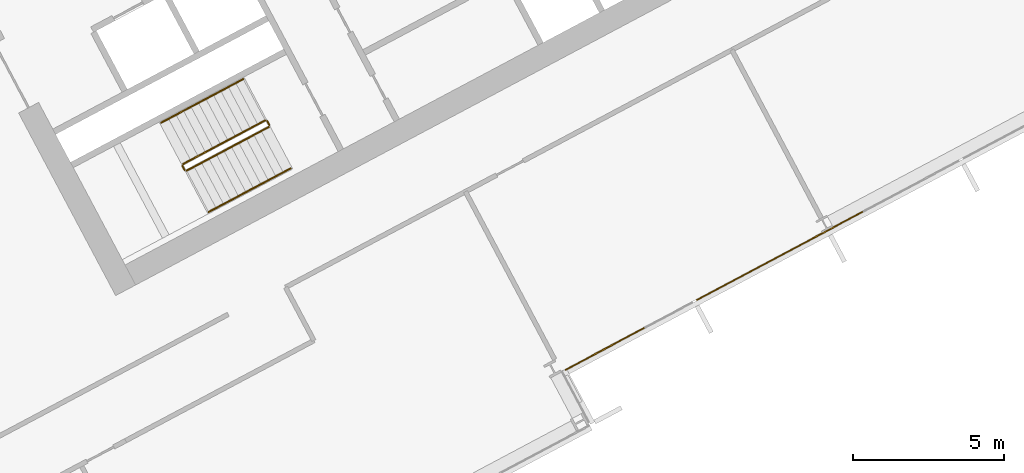
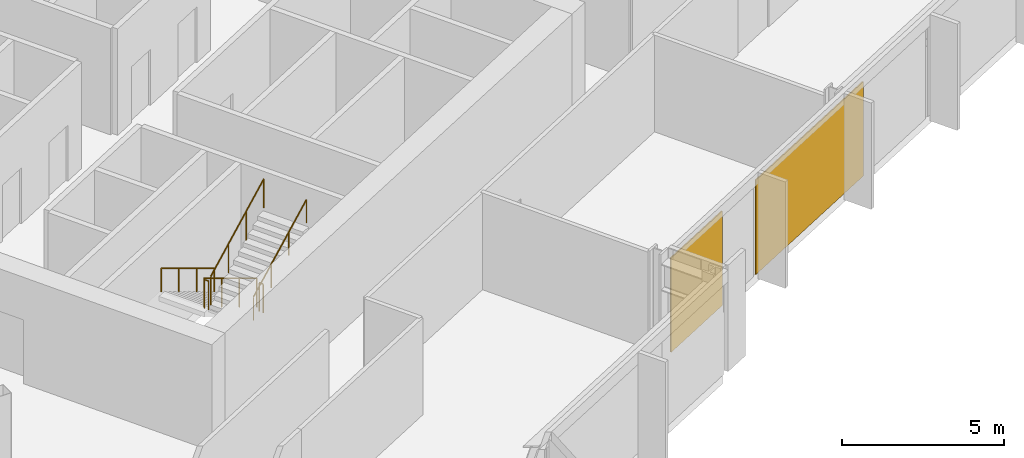
# One storey, part 25 of 28: 6 railings, 2 coverings, 1 element without a shape of its own.
"""IFC4 building model written with IfcOpenShell, lengths in metres."""

import ifcopenshell
import ifcopenshell.guid

model = None  # the IFC model being written
_history = None  # IfcOwnerHistory: only IFC2X3 demands one
_inside = {}  # id of a spatial element -> (the spatial element, [elements in it])
_under = {}  # id of a project, library or spatial element -> (it, [spatial elements below it])
_declared = {}  # id of a project -> (the project, [libraries it declares])
_typed = {}  # id of a type object -> (the type object, [elements of that type])
_made_of = {}  # id of a material, layer set ... -> (it, [elements and type objects made of it])


def new_model(schema):
    """Start an empty IFC model of exactly this schema.

    Asked for "IFC4X3", IfcOpenShell would pick the latest addendum, in which some entities
    have other attributes; the version numbers below select the first issue.
    IFC2X3 requires an IfcOwnerHistory on every rooted entity: one is made here for all.
    """
    global model, _history
    if schema == "IFC4X3":
        model = ifcopenshell.file(schema_version=(4, 3, 0, 0))
    else:
        model = ifcopenshell.file(schema=schema)
    _inside.clear()
    _under.clear()
    _declared.clear()
    _typed.clear()
    _made_of.clear()
    _history = None
    if model.schema == "IFC2X3":
        org = make("IfcOrganization", Name="unknown")
        user = make(
            "IfcPersonAndOrganization",
            ThePerson=make("IfcPerson", FamilyName="unknown"),
            TheOrganization=org,
        )
        app = make(
            "IfcApplication",
            ApplicationDeveloper=org,
            Version="unknown",
            ApplicationFullName="unknown",
            ApplicationIdentifier="unknown",
        )
        _history = make(
            "IfcOwnerHistory",
            OwningUser=user,
            OwningApplication=app,
            ChangeAction="ADDED",
            CreationDate=0,
        )
    return model


def make(cls, **values):
    """One entity of the class cls with the attributes given. An attribute that is None is left unset."""
    return model.create_entity(
        cls, **{name: value for name, value in values.items() if value is not None}
    )


def rooted(cls, **values):
    """An entity with a GlobalId (a new one), such as an element, a storey or a relation."""
    return make(cls, GlobalId=ifcopenshell.guid.new(), OwnerHistory=_history, **values)


def si_unit(unit_type, name, prefix=None):
    """IfcSIUnit, for example si_unit("LENGTHUNIT", "METRE", prefix="MILLI")."""
    return make("IfcSIUnit", UnitType=unit_type, Prefix=prefix, Name=name)


def assignment(units):
    """IfcUnitAssignment: the units of a project."""
    return None if units is None else make("IfcUnitAssignment", Units=units)


def point(xyz):
    """IfcCartesianPoint."""
    return None if xyz is None else make("IfcCartesianPoint", Coordinates=xyz)


def direction(xyz):
    """IfcDirection."""
    return None if xyz is None else make("IfcDirection", DirectionRatios=xyz)


def frame(location, z_axis=None, x_axis=None):
    """IfcAxis2Placement3D, a coordinate frame: its origin and axes. An axis left out is left unset."""
    return make(
        "IfcAxis2Placement3D",
        Location=point(location),
        Axis=direction(z_axis),
        RefDirection=direction(x_axis),
    )


def frame_2d(location, x_axis=None):
    """IfcAxis2Placement2D, a coordinate frame in the plane: its origin and x axis."""
    return make(
        "IfcAxis2Placement2D", Location=point(location), RefDirection=direction(x_axis)
    )


def origin():
    """The frame at (0, 0, 0) with its axes left unset."""
    return frame((0.0, 0.0, 0.0))


def origin_2d():
    """The frame at (0, 0) in the plane with its x axis left unset."""
    return frame_2d((0.0, 0.0))


def place(relative_to, where):
    """IfcLocalPlacement: puts the frame where relative to a parent placement (None: the world)."""
    return make(
        "IfcLocalPlacement", PlacementRelTo=relative_to, RelativePlacement=where
    )


def context(
    kind, dimensions, precision=None, world=None, true_north=None, identifier=None
):
    """IfcGeometricRepresentationContext, for example the 3D "Model" context."""
    return make(
        "IfcGeometricRepresentationContext",
        ContextIdentifier=identifier,
        ContextType=kind,
        CoordinateSpaceDimension=dimensions,
        Precision=precision,
        WorldCoordinateSystem=world,
        TrueNorth=true_north,
    )


def subcontext(parent, identifier, kind, view, scale=None):
    """IfcGeometricRepresentationSubContext, for example "Body" below "Model"."""
    return make(
        "IfcGeometricRepresentationSubContext",
        ContextIdentifier=identifier,
        ContextType=kind,
        ParentContext=parent,
        TargetScale=scale,
        TargetView=view,
    )


def project(units=None, contexts=None):
    """IfcProject with its units and contexts."""
    return rooted(
        "IfcProject",
        Name="project",
        RepresentationContexts=contexts,
        UnitsInContext=assignment(units),
    )


def spatial(cls, under=None, at=None, **own):
    """A site, building, storey or space (cls), placed at a placement, below another one or the project."""
    s = rooted(cls, ObjectPlacement=at, **own)
    if under is not None:
        _under.setdefault(under.id(), (under, []))[1].append(s)
    return s


def polyline(points):
    """IfcPolyline through the points."""
    return make("IfcPolyline", Points=[point(p) for p in points])


def profile(cls, at=None, kind="AREA", **sizes):
    """A parametric profile (cls). Its sizes go by their IFC names, for example OverallWidth=200.0."""
    return make(cls, ProfileType=kind, Position=at, **sizes)


def rectangle(**sizes):
    """IfcRectangleProfileDef."""
    return profile("IfcRectangleProfileDef", **sizes)


def outline(outer, holes=None, kind="AREA"):
    """IfcArbitraryClosedProfileDef: a profile drawn as a closed curve; with holes, ...WithVoids."""
    if holes is None:
        return make("IfcArbitraryClosedProfileDef", ProfileType=kind, OuterCurve=outer)
    return make(
        "IfcArbitraryProfileDefWithVoids",
        ProfileType=kind,
        OuterCurve=outer,
        InnerCurves=holes,
    )


def extrude(swept, where, along, depth):
    """IfcExtrudedAreaSolid: the profile swept, set in the frame where, extruded along a direction by depth."""
    return make(
        "IfcExtrudedAreaSolid",
        SweptArea=swept,
        Position=where,
        ExtrudedDirection=direction(along),
        Depth=depth,
    )


def shape(context_of_items, identifier, shape_type, items):
    """IfcShapeRepresentation: the items that make up one representation, for example the "Body"."""
    return make(
        "IfcShapeRepresentation",
        ContextOfItems=context_of_items,
        RepresentationIdentifier=identifier,
        RepresentationType=shape_type,
        Items=items,
    )


def material(Name=None, Category=None):
    """IfcMaterial."""
    return make("IfcMaterial", Name=Name, Category=Category)


def layer(
    of_material, thickness, ventilated=None, Name=None, Category=None, Priority=None
):
    """IfcMaterialLayer: one layer of a wall or slab, of a material (None: an air gap)."""
    return make(
        "IfcMaterialLayer",
        Material=of_material,
        LayerThickness=thickness,
        IsVentilated=ventilated,
        Name=Name,
        Category=Category,
        Priority=Priority,
    )


def layer_set(layers, Name=None):
    """IfcMaterialLayerSet."""
    return make("IfcMaterialLayerSet", MaterialLayers=layers, LayerSetName=Name)


def made_of(thing, what):
    """Note that an element or type object is made of a material, layer set ...; save() writes the relation."""
    if what is not None:
        _made_of.setdefault(what.id(), (what, []))[1].append(thing)
    return thing


def type_object(cls, material=None, **own):
    """A type object (cls), such as IfcWallType, which elements share."""
    return made_of(rooted(cls, **own), material)


def element(
    cls,
    number,
    at=None,
    inside=None,
    cuts=None,
    type_object=None,
    material=None,
    context=None,
    identifier="Body",
    shape_type=None,
    held_by="IfcProductDefinitionShape",
    body=None,
    shapes=None,
    **own,
):
    """One element of the class cls, such as IfcWall. Its Tag is "e" and its number.

    at: its placement. inside: the storey or other place that contains it. cuts: it is an
    opening in that element (IfcRelVoidsElement). A single representation is given by context,
    identifier, shape_type and body (its items); several are given by shapes. held_by: the class
    of the entity that holds the representations. save() writes the other relations.
    """
    e = rooted(cls, Tag="e%d" % number, ObjectPlacement=at, **own)
    if body is not None:
        shapes = [shape(context, identifier, shape_type, body)]
    if shapes is not None:
        e.Representation = make(held_by, Representations=shapes)
    if inside is not None:
        _inside.setdefault(inside.id(), (inside, []))[1].append(e)
    if cuts is not None:
        rooted(
            "IfcRelVoidsElement", RelatingBuildingElement=cuts, RelatedOpeningElement=e
        )
    if type_object is not None:
        _typed.setdefault(type_object.id(), (type_object, []))[1].append(e)
    return made_of(e, material)


def aggregate(whole, parts):
    """IfcRelAggregates: a whole, such as a stair, and the parts it consists of."""
    return rooted("IfcRelAggregates", RelatingObject=whole, RelatedObjects=parts)


def save(model, path):
    """Write the relations noted so far, then the file.

    IfcRelAggregates (storeys below a building ...), IfcRelContainedInSpatialStructure (elements
    in a storey), IfcRelDefinesByType, IfcRelAssociatesMaterial and IfcRelDeclares: one each for
    every whole, place, type object, material and project.
    """
    for whole, parts in _under.values():
        aggregate(whole, parts)
    for where, things in _inside.values():
        rooted(
            "IfcRelContainedInSpatialStructure",
            RelatedElements=things,
            RelatingStructure=where,
        )
    for kind, things in _typed.values():
        rooted("IfcRelDefinesByType", RelatedObjects=things, RelatingType=kind)
    for what, things in _made_of.values():
        rooted("IfcRelAssociatesMaterial", RelatedObjects=things, RelatingMaterial=what)
    for by, libraries in _declared.values():
        rooted("IfcRelDeclares", RelatingContext=by, RelatedDefinitions=libraries)
    model.write(path)


model = new_model("IFC4")

# Units and contexts
model_context = context("Model", 3, precision=1e-05, world=origin(), true_north=direction((0.0, 1.0)))
body_context = subcontext(model_context, "Body", "Model", "MODEL_VIEW")
ifc_project = project(units=[si_unit("LENGTHUNIT", "METRE"), si_unit("AREAUNIT", "SQUARE_METRE"), si_unit("VOLUMEUNIT", "CUBIC_METRE"), si_unit("PLANEANGLEUNIT", "RADIAN"), si_unit("MASSUNIT", "GRAM", prefix="KILO")], contexts=[model_context])

# Site, building, storey
site_placement = place(None, origin())
site = spatial("IfcSite", under=ifc_project, at=site_placement, CompositionType="ELEMENT")
building_placement = place(site_placement, origin())
building = spatial("IfcBuilding", under=site, at=building_placement, Name="Cormorant Relay Tower", CompositionType="ELEMENT")
storey_placement = place(building_placement, frame((0.0, 0.0, 130.199951171875)))
storey = spatial("IfcBuildingStorey", under=building, at=storey_placement, Name="L26", CompositionType="ELEMENT", Elevation=130.199951171875)

# Curtain wall, coverings
ifc_material_1 = material(Name="Aluminium 6063-T6 anodised bronze", Category="aluminium")
ifc_layer_1 = layer(ifc_material_1, 0.199951171875)
ifc_layer_set_1 = layer_set([ifc_layer_1], Name="CW1 unitised bronze curtain wall with vertical fins")
curtain_wall_type = type_object("IfcCurtainWallType", Name="CW1 unitised bronze curtain wall with vertical fins", PredefinedType="NOTDEFINED", material=ifc_layer_set_1)
curtain_wall_placement = place(storey_placement, origin())
curtain_wall = element("IfcCurtainWall", 1, at=curtain_wall_placement, inside=storey, type_object=curtain_wall_type, Name="CW1 curtain wall 4", PredefinedType="NOTDEFINED")
ifc_material_2 = material(Name="Pale bronze anodised aluminium insulated panel", Category="aluminium")
ifc_layer_2 = layer(ifc_material_2, 0.0400390625)
ifc_layer_set_2 = layer_set([ifc_layer_2], Name="CW1 pale bronze insulated panel 40")
covering_type = type_object("IfcCoveringType", Name="CW1 pale bronze insulated panel 40", PredefinedType="CLADDING", material=ifc_layer_set_2)
covering_1_placement = place(storey_placement, frame((35.09765625, -2.879638671875, 0.0), z_axis=(0.0, 0.0, 1.0), x_axis=(0.882947592859, 0.469471562786, 0.0)))
covering_1 = element("IfcCovering", 2, at=covering_1_placement, type_object=covering_type, Name="CW1 panel S00", PredefinedType="CLADDING", context=body_context, shape_type="SweptSolid", body=[
    extrude(rectangle(XDim=2.97509765625, YDim=0.0400390625, at=origin_2d()), origin(), (0.0, 0.0, 1.0), 3.550048828125),
])
covering_2_placement = place(storey_placement, frame((40.89208984375, 0.201171875, 0.0), z_axis=(0.0, 0.0, 1.0), x_axis=(0.882947592859, 0.469471562786, 0.0)))
covering_2 = element("IfcCovering", 3, at=covering_2_placement, type_object=covering_type, Name="CW1 panel S02", PredefinedType="CLADDING", context=body_context, shape_type="SweptSolid", body=[
    extrude(rectangle(XDim=6.25, YDim=0.0400390625, at=origin_2d()), origin(), (0.0, 0.0, 1.0), 3.550048828125),
])
aggregate(curtain_wall, [covering_1, covering_2])

# Railings
ifc_material_3 = material(Name="Steel ASTM A572 Grade 50 (Fy 345 MPa)", Category="steel")
railing_type_1 = type_object("IfcRailingType", Name="Stair guard 1100", PredefinedType="GUARDRAIL", material=ifc_material_3)
railing_1_placement = place(storey_placement, frame((23.83837890625, 4.6904296875, 0.166748046875)))
element("IfcRailing", 4, at=railing_1_placement, inside=storey, type_object=railing_type_1, Name="L26 B1 stair guard 1", PredefinedType="GUARDRAIL", context=body_context, shape_type="SweptSolid", body=[
    extrude(outline(polyline([(0.022216796875, 0.00927734375), (0.00927734375, 0.022216796875), (-0.00927734375, 0.022216796875), (-0.022216796875, 0.00927734375), (-0.022216796875, -0.00927734375), (-0.00927734375, -0.022216796875), (0.00927734375, -0.022216796875), (0.022216796875, -0.00927734375), (0.022216796875, 0.00927734375)])), frame((0.0, 0.0, 1.076171875), z_axis=(-0.758713656843, -0.403434867536, 0.511462505542), x_axis=(0.469489399267, -0.882938108802, 0.0)), (0.0, 0.0, 1.0), 3.584228515625),
    extrude(outline(polyline([(0.019287109375, 0.008056640625), (0.008056640625, 0.019287109375), (-0.008056640625, 0.019287109375), (-0.019287109375, 0.008056640625), (-0.019287109375, -0.008056640625), (-0.008056640625, -0.019287109375), (0.008056640625, -0.019287109375), (0.019287109375, -0.008056640625), (0.019287109375, 0.008056640625)])), origin(), (0.0, 0.0, 1.0), 1.052001953125),
    extrude(outline(polyline([(0.019287109375, 0.008056640625), (0.008056640625, 0.019287109375), (-0.008056640625, 0.019287109375), (-0.019287109375, 0.008056640625), (-0.019287109375, -0.008056640625), (-0.008056640625, -0.019287109375), (0.008056640625, -0.019287109375), (0.019287109375, -0.008056640625), (0.019287109375, 0.008056640625)])), frame((-0.906494140625, -0.48193359375, 0.611083984375)), (0.0, 0.0, 1.0), 1.052001953125),
    extrude(outline(polyline([(0.019287109375, 0.008056640625), (0.008056640625, 0.019287109375), (-0.008056640625, 0.019287109375), (-0.019287109375, 0.008056640625), (-0.019287109375, -0.008056640625), (-0.008056640625, -0.019287109375), (0.008056640625, -0.019287109375), (0.019287109375, -0.008056640625), (0.019287109375, 0.008056640625)])), frame((-1.81298828125, -0.964111328125, 1.22216796875)), (0.0, 0.0, 1.0), 1.052001953125),
    extrude(outline(polyline([(0.019287109375, 0.008056640625), (0.008056640625, 0.019287109375), (-0.008056640625, 0.019287109375), (-0.019287109375, 0.008056640625), (-0.019287109375, -0.008056640625), (-0.008056640625, -0.019287109375), (0.008056640625, -0.019287109375), (0.019287109375, -0.008056640625), (0.019287109375, 0.008056640625)])), frame((-2.719482421875, -1.446044921875, 1.833251953125)), (0.0, 0.0, 1.0), 1.052001953125),
])
railing_2_placement = place(storey_placement, frame((21.09814453125, 3.1767578125, 2.0)))
element("IfcRailing", 5, at=railing_2_placement, inside=storey, type_object=railing_type_1, Name="L26 B1 stair guard 2", PredefinedType="GUARDRAIL", context=body_context, shape_type="SweptSolid", body=[
    extrude(outline(polyline([(0.022216796875, 0.00927734375), (0.00927734375, 0.022216796875), (-0.00927734375, 0.022216796875), (-0.022216796875, 0.00927734375), (-0.022216796875, -0.00927734375), (-0.00927734375, -0.022216796875), (0.00927734375, -0.022216796875), (0.022216796875, -0.00927734375), (0.022216796875, 0.00927734375)])), frame((0.0, 0.0, 1.076171875), z_axis=(0.469234640946, -0.883073525669, 0.0), x_axis=(0.883073525669, 0.469234640946, 0.0)), (0.0, 0.0, 1.0), 0.14990234375),
    extrude(outline(polyline([(0.019287109375, 0.008056640625), (0.008056640625, 0.019287109375), (-0.008056640625, 0.019287109375), (-0.019287109375, 0.008056640625), (-0.019287109375, -0.008056640625), (-0.008056640625, -0.019287109375), (0.008056640625, -0.019287109375), (0.019287109375, -0.008056640625), (0.019287109375, 0.008056640625)])), origin(), (0.0, 0.0, 1.0), 1.052001953125),
    extrude(outline(polyline([(0.019287109375, 0.008056640625), (0.008056640625, 0.019287109375), (-0.008056640625, 0.019287109375), (-0.019287109375, 0.008056640625), (-0.019287109375, -0.008056640625), (-0.008056640625, -0.019287109375), (0.008056640625, -0.019287109375), (0.019287109375, -0.008056640625), (0.019287109375, 0.008056640625)])), frame((0.0703125, -0.13232421875, 0.0)), (0.0, 0.0, 1.0), 1.052001953125),
])
railing_3_placement = place(storey_placement, frame((21.236083984375, 3.023681640625, 2.166748046875)))
element("IfcRailing", 6, at=railing_3_placement, inside=storey, type_object=railing_type_1, Name="L26 B1 stair guard 3", PredefinedType="GUARDRAIL", context=body_context, shape_type="SweptSolid", body=[
    extrude(outline(polyline([(0.022216796875, 0.00927734375), (0.00927734375, 0.022216796875), (-0.00927734375, 0.022216796875), (-0.022216796875, 0.00927734375), (-0.022216796875, -0.00927734375), (-0.00927734375, -0.022216796875), (0.00927734375, -0.022216796875), (0.022216796875, -0.00927734375), (0.022216796875, 0.00927734375)])), frame((0.0, 0.0, 1.076171875), z_axis=(0.758713656843, 0.403434867536, 0.511462505542), x_axis=(-0.469489399267, 0.882938108802, 0.0)), (0.0, 0.0, 1.0), 3.584228515625),
    extrude(outline(polyline([(0.019287109375, 0.008056640625), (0.008056640625, 0.019287109375), (-0.008056640625, 0.019287109375), (-0.019287109375, 0.008056640625), (-0.019287109375, -0.008056640625), (-0.008056640625, -0.019287109375), (0.008056640625, -0.019287109375), (0.019287109375, -0.008056640625), (0.019287109375, 0.008056640625)])), origin(), (0.0, 0.0, 1.0), 1.052001953125),
    extrude(outline(polyline([(0.019287109375, 0.008056640625), (0.008056640625, 0.019287109375), (-0.008056640625, 0.019287109375), (-0.019287109375, 0.008056640625), (-0.019287109375, -0.008056640625), (-0.008056640625, -0.019287109375), (0.008056640625, -0.019287109375), (0.019287109375, -0.008056640625), (0.019287109375, 0.008056640625)])), frame((0.906494140625, 0.48193359375, 0.611083984375)), (0.0, 0.0, 1.0), 1.052001953125),
    extrude(outline(polyline([(0.019287109375, 0.008056640625), (0.008056640625, 0.019287109375), (-0.008056640625, 0.019287109375), (-0.019287109375, 0.008056640625), (-0.019287109375, -0.008056640625), (-0.008056640625, -0.019287109375), (0.008056640625, -0.019287109375), (0.019287109375, -0.008056640625), (0.019287109375, 0.008056640625)])), frame((1.81298828125, 0.964111328125, 1.22216796875)), (0.0, 0.0, 1.0), 1.052001953125),
    extrude(outline(polyline([(0.019287109375, 0.008056640625), (0.008056640625, 0.019287109375), (-0.008056640625, 0.019287109375), (-0.019287109375, 0.008056640625), (-0.019287109375, -0.008056640625), (-0.008056640625, -0.019287109375), (0.008056640625, -0.019287109375), (0.019287109375, -0.008056640625), (0.019287109375, 0.008056640625)])), frame((2.719482421875, 1.446044921875, 1.833251953125)), (0.0, 0.0, 1.0), 1.052001953125),
])
railing_4_placement = place(storey_placement, frame((23.906005859375, 4.669677734375, 0.0)))
element("IfcRailing", 7, at=railing_4_placement, inside=storey, type_object=railing_type_1, Name="L26 B1 stair guard 4", PredefinedType="GUARDRAIL", context=body_context, shape_type="SweptSolid", body=[
    extrude(outline(polyline([(0.022216796875, 0.00927734375), (0.00927734375, 0.022216796875), (-0.00927734375, 0.022216796875), (-0.022216796875, 0.00927734375), (-0.022216796875, -0.00927734375), (-0.00927734375, -0.022216796875), (0.00927734375, -0.022216796875), (0.022216796875, -0.00927734375), (0.022216796875, 0.00927734375)])), frame((0.0, 0.0, 1.076171875), z_axis=(0.469234640946, -0.883073525669, 0.0), x_axis=(0.883073525669, 0.469234640946, 0.0)), (0.0, 0.0, 1.0), 0.14990234375),
    extrude(outline(polyline([(0.019287109375, 0.008056640625), (0.008056640625, 0.019287109375), (-0.008056640625, 0.019287109375), (-0.019287109375, 0.008056640625), (-0.019287109375, -0.008056640625), (-0.008056640625, -0.019287109375), (0.008056640625, -0.019287109375), (0.019287109375, -0.008056640625), (0.019287109375, 0.008056640625)])), origin(), (0.0, 0.0, 1.0), 1.052001953125),
    extrude(outline(polyline([(0.019287109375, 0.008056640625), (0.008056640625, 0.019287109375), (-0.008056640625, 0.019287109375), (-0.019287109375, 0.008056640625), (-0.019287109375, -0.008056640625), (-0.008056640625, -0.019287109375), (0.008056640625, -0.019287109375), (0.019287109375, -0.008056640625), (0.019287109375, 0.008056640625)])), frame((0.0703125, -0.13232421875, 0.0)), (0.0, 0.0, 1.0), 1.052001953125),
])
ifc_material_4 = material(Name="Steel ASTM A572 Grade 50 (Fy 345 MPa)", Category="steel")
railing_type_2 = type_object("IfcRailingType", Name="Stair handrail 900", PredefinedType="HANDRAIL", material=ifc_material_4)
railing_5_placement = place(storey_placement, frame((23.110595703125, 6.05908203125, 0.166748046875)))
element("IfcRailing", 8, at=railing_5_placement, inside=storey, type_object=railing_type_2, Name="L26 B1 stair handrail 1", PredefinedType="HANDRAIL", context=body_context, shape_type="SweptSolid", body=[
    extrude(outline(polyline([(0.022216796875, 0.00927734375), (0.00927734375, 0.022216796875), (-0.00927734375, 0.022216796875), (-0.022216796875, 0.00927734375), (-0.022216796875, -0.00927734375), (-0.00927734375, -0.022216796875), (0.00927734375, -0.022216796875), (0.022216796875, -0.00927734375), (0.022216796875, 0.00927734375)])), frame((0.0, 0.0, 0.8759765625), z_axis=(-0.758713656843, -0.403434867536, 0.511462505542), x_axis=(0.469489399267, -0.882938108802, 0.0)), (0.0, 0.0, 1.0), 3.584228515625),
    extrude(outline(polyline([(0.019287109375, 0.008056640625), (0.008056640625, 0.019287109375), (-0.008056640625, 0.019287109375), (-0.019287109375, 0.008056640625), (-0.019287109375, -0.008056640625), (-0.008056640625, -0.019287109375), (0.008056640625, -0.019287109375), (0.019287109375, -0.008056640625), (0.019287109375, 0.008056640625)])), origin(), (0.0, 0.0, 1.0), 0.851806640625),
    extrude(outline(polyline([(0.019287109375, 0.008056640625), (0.008056640625, 0.019287109375), (-0.008056640625, 0.019287109375), (-0.019287109375, 0.008056640625), (-0.019287109375, -0.008056640625), (-0.008056640625, -0.019287109375), (0.008056640625, -0.019287109375), (0.019287109375, -0.008056640625), (0.019287109375, 0.008056640625)])), frame((-0.906494140625, -0.48193359375, 0.611083984375)), (0.0, 0.0, 1.0), 0.851806640625),
    extrude(outline(polyline([(0.019287109375, 0.008056640625), (0.008056640625, 0.019287109375), (-0.008056640625, 0.019287109375), (-0.019287109375, 0.008056640625), (-0.019287109375, -0.008056640625), (-0.008056640625, -0.019287109375), (0.008056640625, -0.019287109375), (0.019287109375, -0.008056640625), (0.019287109375, 0.008056640625)])), frame((-1.81298828125, -0.964111328125, 1.22216796875)), (0.0, 0.0, 1.0), 0.851806640625),
    extrude(outline(polyline([(0.019287109375, 0.008056640625), (0.008056640625, 0.019287109375), (-0.008056640625, 0.019287109375), (-0.019287109375, 0.008056640625), (-0.019287109375, -0.008056640625), (-0.008056640625, -0.019287109375), (0.008056640625, -0.019287109375), (0.019287109375, -0.008056640625), (0.019287109375, 0.008056640625)])), frame((-2.719482421875, -1.446044921875, 1.833251953125)), (0.0, 0.0, 1.0), 0.851806640625),
])
railing_6_placement = place(storey_placement, frame((21.9638671875, 1.6552734375, 2.166748046875)))
element("IfcRailing", 9, at=railing_6_placement, inside=storey, type_object=railing_type_2, Name="L26 B1 stair handrail 2", PredefinedType="HANDRAIL", context=body_context, shape_type="SweptSolid", body=[
    extrude(outline(polyline([(0.022216796875, 0.00927734375), (0.00927734375, 0.022216796875), (-0.00927734375, 0.022216796875), (-0.022216796875, 0.00927734375), (-0.022216796875, -0.00927734375), (-0.00927734375, -0.022216796875), (0.00927734375, -0.022216796875), (0.022216796875, -0.00927734375), (0.022216796875, 0.00927734375)])), frame((0.0, 0.0, 0.8759765625), z_axis=(0.758734504837, 0.403377838015, 0.511476559549), x_axis=(-0.469427602063, 0.882970965786, 0.0)), (0.0, 0.0, 1.0), 3.584228515625),
    extrude(outline(polyline([(0.019287109375, 0.008056640625), (0.008056640625, 0.019287109375), (-0.008056640625, 0.019287109375), (-0.019287109375, 0.008056640625), (-0.019287109375, -0.008056640625), (-0.008056640625, -0.019287109375), (0.008056640625, -0.019287109375), (0.019287109375, -0.008056640625), (0.019287109375, 0.008056640625)])), origin(), (0.0, 0.0, 1.0), 0.851806640625),
    extrude(outline(polyline([(0.019287109375, 0.008056640625), (0.008056640625, 0.019287109375), (-0.008056640625, 0.019287109375), (-0.019287109375, 0.008056640625), (-0.019287109375, -0.008056640625), (-0.008056640625, -0.019287109375), (0.008056640625, -0.019287109375), (0.019287109375, -0.008056640625), (0.019287109375, 0.008056640625)])), frame((0.906494140625, 0.48193359375, 0.611083984375)), (0.0, 0.0, 1.0), 0.851806640625),
    extrude(outline(polyline([(0.019287109375, 0.008056640625), (0.008056640625, 0.019287109375), (-0.008056640625, 0.019287109375), (-0.019287109375, 0.008056640625), (-0.019287109375, -0.008056640625), (-0.008056640625, -0.019287109375), (0.008056640625, -0.019287109375), (0.019287109375, -0.008056640625), (0.019287109375, 0.008056640625)])), frame((1.81298828125, 0.9638671875, 1.22216796875)), (0.0, 0.0, 1.0), 0.851806640625),
    extrude(outline(polyline([(0.019287109375, 0.008056640625), (0.008056640625, 0.019287109375), (-0.008056640625, 0.019287109375), (-0.019287109375, 0.008056640625), (-0.019287109375, -0.008056640625), (-0.008056640625, -0.019287109375), (0.008056640625, -0.019287109375), (0.019287109375, -0.008056640625), (0.019287109375, 0.008056640625)])), frame((2.719482421875, 1.44580078125, 1.833251953125)), (0.0, 0.0, 1.0), 0.851806640625),
])

save(model, "model.ifc")
